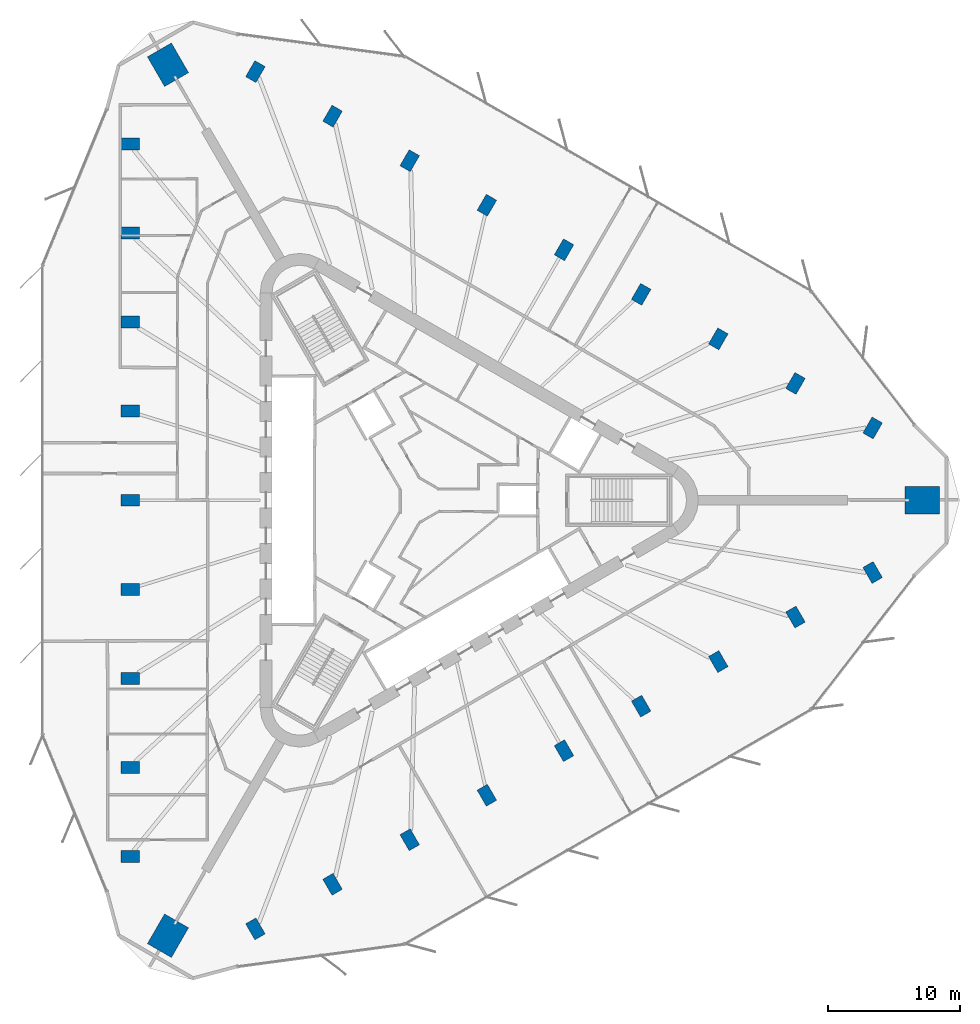
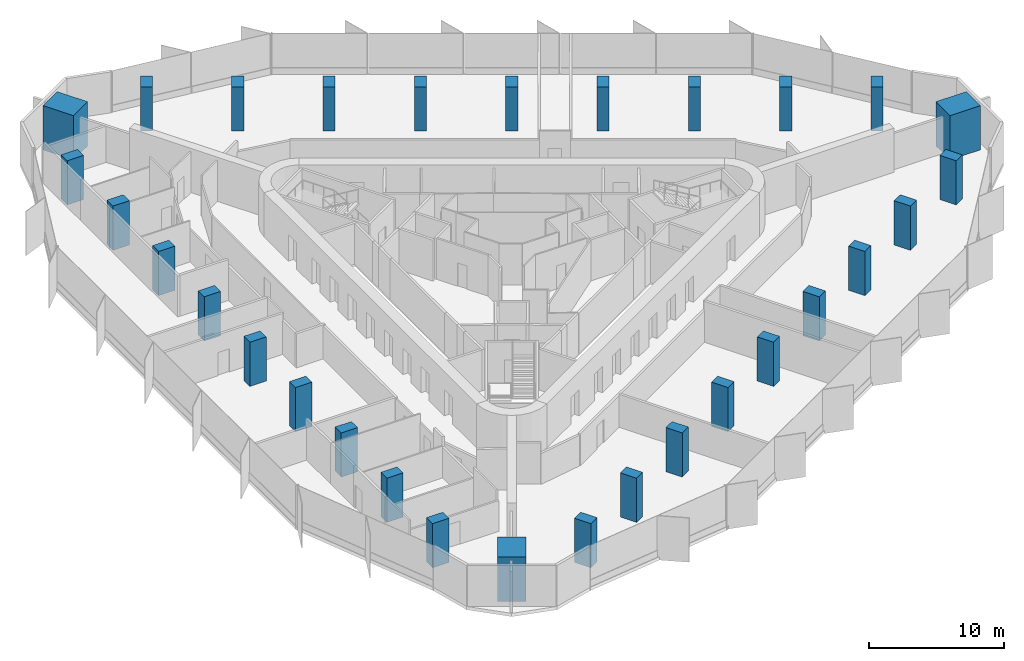
# One storey, part 1 of 14: 30 columns.
"""IFC4 building model written with IfcOpenShell, lengths in metres."""

from ifc_helpers import new_model, si_unit, direction, frame, origin, origin_2d, place, context, subcontext, project, spatial, rectangle, extrude, material, material_profile, profile_set, type_object, element, save


model = new_model("IFC4")

# Units and contexts
model_context = context("Model", 3, precision=1e-05, world=origin(), true_north=direction((0.0, 1.0)))
body_context = subcontext(model_context, "Body", "Model", "MODEL_VIEW")
ifc_project = project(units=[si_unit("LENGTHUNIT", "METRE"), si_unit("AREAUNIT", "SQUARE_METRE"), si_unit("VOLUMEUNIT", "CUBIC_METRE"), si_unit("PLANEANGLEUNIT", "RADIAN"), si_unit("MASSUNIT", "GRAM", prefix="KILO")], contexts=[model_context])

# Site, building, storey
site_placement = place(None, origin())
site = spatial("IfcSite", under=ifc_project, at=site_placement, CompositionType="ELEMENT")
building_placement = place(site_placement, origin())
building = spatial("IfcBuilding", under=site, at=building_placement, Name="Tanit Gate Tower", CompositionType="ELEMENT")
storey_placement = place(building_placement, frame((0.0, 0.0, 229.199951171875)))
storey = spatial("IfcBuildingStorey", under=building, at=storey_placement, Name="L51", CompositionType="ELEMENT", Elevation=229.199951171875)

# Columns
ifc_material_1 = material(Name="Concrete C60/75", Category="concrete")
ifc_material_profile_1 = material_profile(ifc_material_1, rectangle(XDim=2.60009765625, YDim=2.10009765625, at=origin_2d()), Name="RC 2600x2100")
ifc_profile_set_1 = profile_set([ifc_material_profile_1], Name="Concrete C60/75")
column_type_1 = type_object("IfcColumnType", Name="MEGA COLUMN 2600x2100 C60/75", PredefinedType="COLUMN", material=ifc_profile_set_1)
for number, where, z_axis, x_axis, name in (
    (1, (38.219482421875, 0.0, 0.0), (0.0, 0.0, 1.0), (1.0, 0.0, 0.0), "MEGA COLUMN"),
    (2, (-19.10986328125, 33.09912109375, 0.0), (0.0, 0.0, 1.0), (-0.5, 0.866025403784, 0.0), "MEGA COLUMN"),
    (3, (-19.10986328125, -33.09912109375, 0.0), (0.0, 0.0, 1.0), (-0.5, -0.866025403784, 0.0), "MEGA COLUMN"),
):
    element("IfcColumn", number, at=place(storey_placement, frame(where, z_axis=z_axis, x_axis=x_axis)), inside=storey, type_object=column_type_1, Name=name, PredefinedType="COLUMN", context=body_context, shape_type="SweptSolid", body=[
        extrude(rectangle(XDim=2.60009765625, YDim=2.10009765625, at=origin_2d()), origin(), (0.0, 0.0, 1.0), 4.0),
    ])
ifc_material_2 = material(Name="Concrete C50/60", Category="concrete")
ifc_material_profile_2 = material_profile(ifc_material_2, rectangle(XDim=1.39990234375, YDim=0.89990234375, at=origin_2d()), Name="RC 1400x900")
ifc_profile_set_2 = profile_set([ifc_material_profile_2], Name="Concrete C50/60")
column_type_2 = type_object("IfcColumnType", Name="PERIMETER COLUMN 1400x900 C50/60", PredefinedType="COLUMN", material=ifc_profile_set_2)
for number, where, z_axis, x_axis, name in (
    (4, (-21.979248046875, 27.083984375, 0.0), (0.0, 0.0, 1.0), (-1.0, 0.0, 0.0), "PERIMETER COLUMN"),
    (5, (-21.979248046875, 20.31298828125, 0.0), (0.0, 0.0, 1.0), (-1.0, 0.0, 0.0), "PERIMETER COLUMN"),
    (6, (-21.979248046875, 13.5419921875, 0.0), (0.0, 0.0, 1.0), (-1.0, 0.0, 0.0), "PERIMETER COLUMN"),
    (7, (-21.979248046875, 6.77099609375, 0.0), (0.0, 0.0, 1.0), (-1.0, 0.0, 0.0), "PERIMETER COLUMN"),
    (8, (-21.979248046875, 0.0, 0.0), (0.0, 0.0, 1.0), (-1.0, 0.0, 0.0), "PERIMETER COLUMN"),
    (9, (-21.979248046875, -6.77099609375, 0.0), (0.0, 0.0, 1.0), (-1.0, 0.0, 0.0), "PERIMETER COLUMN"),
    (10, (-21.979248046875, -13.5419921875, 0.0), (0.0, 0.0, 1.0), (-1.0, 0.0, 0.0), "PERIMETER COLUMN"),
    (11, (-21.979248046875, -20.31298828125, 0.0), (0.0, 0.0, 1.0), (-1.0, 0.0, 0.0), "PERIMETER COLUMN"),
    (12, (-21.979248046875, -27.083984375, 0.0), (0.0, 0.0, 1.0), (-1.0, 0.0, 0.0), "PERIMETER COLUMN"),
    (13, (34.445068359375, 5.49267578125, 0.0), (0.0, 0.0, 1.0), (0.5, 0.866025403784, 0.0), "PERIMETER COLUMN"),
    (14, (28.5810546875, 8.878173828125, 0.0), (0.0, 0.0, 1.0), (0.5, 0.866025403784, 0.0), "PERIMETER COLUMN"),
    (15, (22.71728515625, 12.263671875, 0.0), (0.0, 0.0, 1.0), (0.5, 0.866025403784, 0.0), "PERIMETER COLUMN"),
    (16, (16.853515625, 15.649169921875, 0.0), (0.0, 0.0, 1.0), (0.5, 0.866025403784, 0.0), "PERIMETER COLUMN"),
    (17, (10.989501953125, 19.03466796875, 0.0), (0.0, 0.0, 1.0), (0.5, 0.866025403784, 0.0), "PERIMETER COLUMN"),
    (18, (5.125732421875, 22.419921875, 0.0), (0.0, 0.0, 1.0), (0.5, 0.866025403784, 0.0), "PERIMETER COLUMN"),
    (19, (-0.738037109375, 25.805419921875, 0.0), (0.0, 0.0, 1.0), (0.5, 0.866025403784, 0.0), "PERIMETER COLUMN"),
    (20, (-6.601806640625, 29.19091796875, 0.0), (0.0, 0.0, 1.0), (0.5, 0.866025403784, 0.0), "PERIMETER COLUMN"),
    (21, (-12.4658203125, 32.576416015625, 0.0), (0.0, 0.0, 1.0), (0.5, 0.866025403784, 0.0), "PERIMETER COLUMN"),
    (22, (-12.4658203125, -32.576416015625, 0.0), (0.0, 0.0, 1.0), (0.5, -0.866025403784, 0.0), "PERIMETER COLUMN"),
    (23, (-6.601806640625, -29.19091796875, 0.0), (0.0, 0.0, 1.0), (0.5, -0.866025403784, 0.0), "PERIMETER COLUMN"),
    (24, (-0.738037109375, -25.805419921875, 0.0), (0.0, 0.0, 1.0), (0.5, -0.866025403784, 0.0), "PERIMETER COLUMN"),
    (25, (5.125732421875, -22.419921875, 0.0), (0.0, 0.0, 1.0), (0.5, -0.866025403784, 0.0), "PERIMETER COLUMN"),
    (26, (10.989501953125, -19.03466796875, 0.0), (0.0, 0.0, 1.0), (0.5, -0.866025403784, 0.0), "PERIMETER COLUMN"),
    (27, (16.853515625, -15.649169921875, 0.0), (0.0, 0.0, 1.0), (0.5, -0.866025403784, 0.0), "PERIMETER COLUMN"),
    (28, (22.71728515625, -12.263671875, 0.0), (0.0, 0.0, 1.0), (0.5, -0.866025403784, 0.0), "PERIMETER COLUMN"),
    (29, (28.5810546875, -8.878173828125, 0.0), (0.0, 0.0, 1.0), (0.5, -0.866025403784, 0.0), "PERIMETER COLUMN"),
    (30, (34.445068359375, -5.49267578125, 0.0), (0.0, 0.0, 1.0), (0.5, -0.866025403784, 0.0), "PERIMETER COLUMN"),
):
    element("IfcColumn", number, at=place(storey_placement, frame(where, z_axis=z_axis, x_axis=x_axis)), inside=storey, type_object=column_type_2, Name=name, PredefinedType="COLUMN", context=body_context, shape_type="SweptSolid", body=[
        extrude(rectangle(XDim=1.39990234375, YDim=0.89990234375, at=origin_2d()), origin(), (0.0, 0.0, 1.0), 4.0),
    ])

save(model, "model.ifc")
